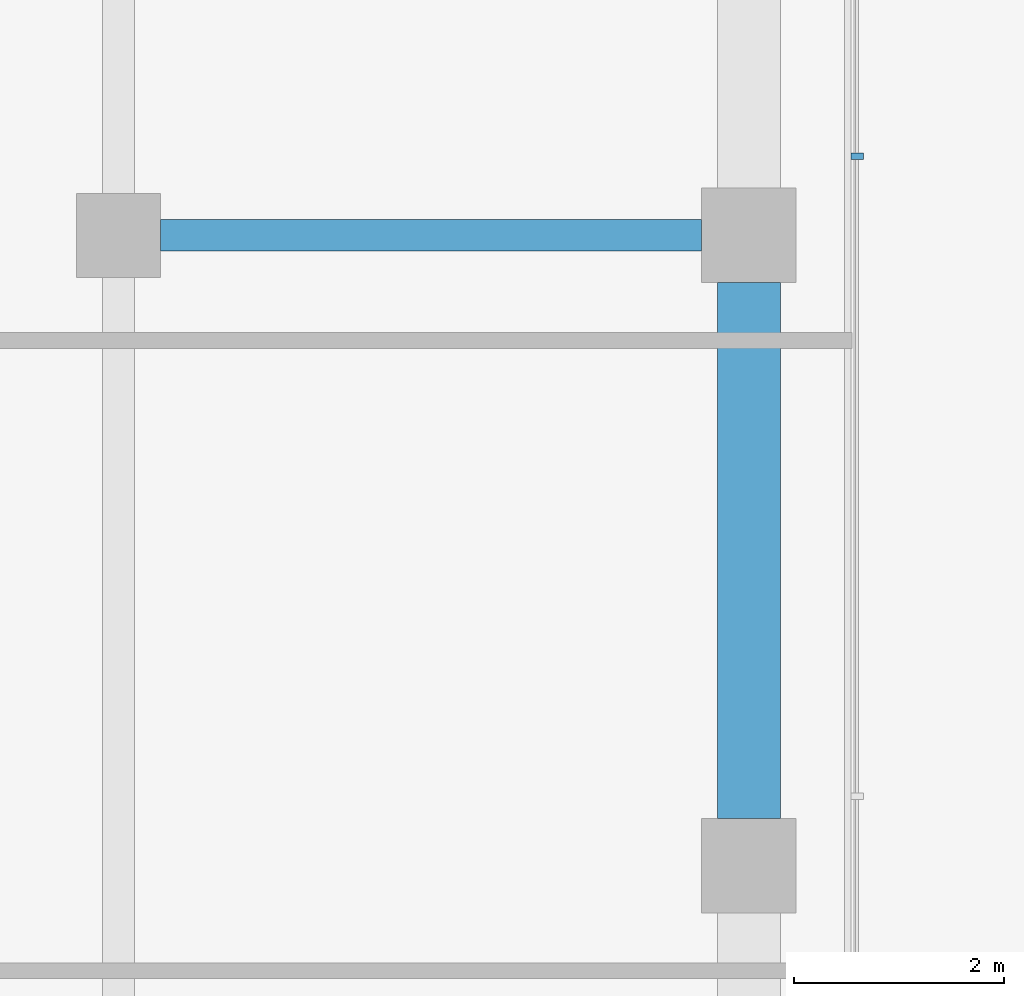
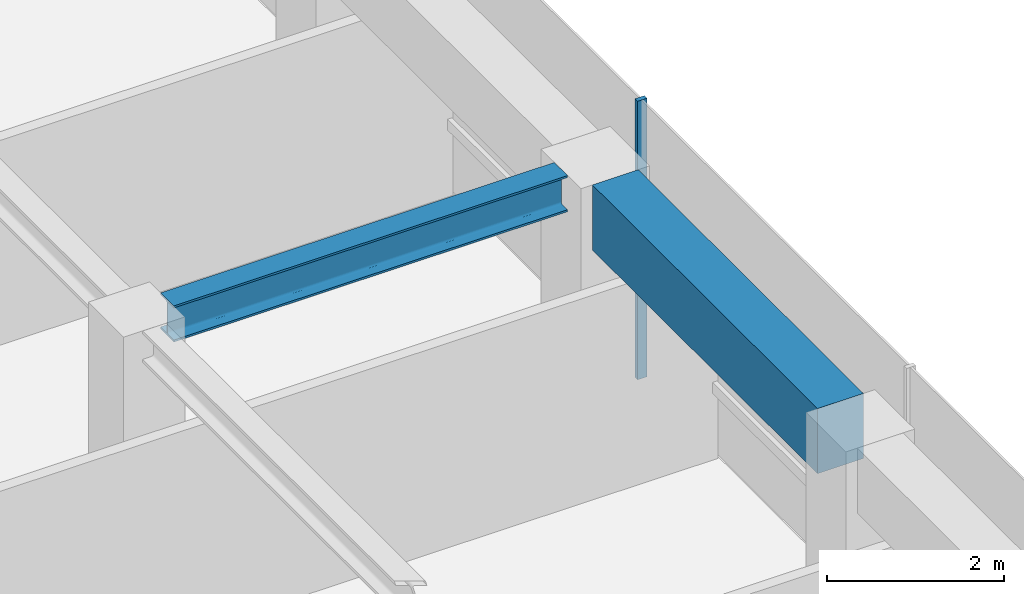
# One storey, part 15 of 24: 2 beams, 1 member, 1 element without a shape of its own.
"""IFC4 building model written with IfcOpenShell, lengths in metres."""

import ifcopenshell
import ifcopenshell.guid

model = None  # the IFC model being written
_history = None  # IfcOwnerHistory: only IFC2X3 demands one
_inside = {}  # id of a spatial element -> (the spatial element, [elements in it])
_under = {}  # id of a project, library or spatial element -> (it, [spatial elements below it])
_declared = {}  # id of a project -> (the project, [libraries it declares])
_typed = {}  # id of a type object -> (the type object, [elements of that type])
_made_of = {}  # id of a material, layer set ... -> (it, [elements and type objects made of it])


def new_model(schema):
    """Start an empty IFC model of exactly this schema.

    Asked for "IFC4X3", IfcOpenShell would pick the latest addendum, in which some entities
    have other attributes; the version numbers below select the first issue.
    IFC2X3 requires an IfcOwnerHistory on every rooted entity: one is made here for all.
    """
    global model, _history
    if schema == "IFC4X3":
        model = ifcopenshell.file(schema_version=(4, 3, 0, 0))
    else:
        model = ifcopenshell.file(schema=schema)
    _inside.clear()
    _under.clear()
    _declared.clear()
    _typed.clear()
    _made_of.clear()
    _history = None
    if model.schema == "IFC2X3":
        org = make("IfcOrganization", Name="unknown")
        user = make(
            "IfcPersonAndOrganization",
            ThePerson=make("IfcPerson", FamilyName="unknown"),
            TheOrganization=org,
        )
        app = make(
            "IfcApplication",
            ApplicationDeveloper=org,
            Version="unknown",
            ApplicationFullName="unknown",
            ApplicationIdentifier="unknown",
        )
        _history = make(
            "IfcOwnerHistory",
            OwningUser=user,
            OwningApplication=app,
            ChangeAction="ADDED",
            CreationDate=0,
        )
    return model


def make(cls, **values):
    """One entity of the class cls with the attributes given. An attribute that is None is left unset."""
    return model.create_entity(
        cls, **{name: value for name, value in values.items() if value is not None}
    )


def rooted(cls, **values):
    """An entity with a GlobalId (a new one), such as an element, a storey or a relation."""
    return make(cls, GlobalId=ifcopenshell.guid.new(), OwnerHistory=_history, **values)


def si_unit(unit_type, name, prefix=None):
    """IfcSIUnit, for example si_unit("LENGTHUNIT", "METRE", prefix="MILLI")."""
    return make("IfcSIUnit", UnitType=unit_type, Prefix=prefix, Name=name)


def assignment(units):
    """IfcUnitAssignment: the units of a project."""
    return None if units is None else make("IfcUnitAssignment", Units=units)


def point(xyz):
    """IfcCartesianPoint."""
    return None if xyz is None else make("IfcCartesianPoint", Coordinates=xyz)


def direction(xyz):
    """IfcDirection."""
    return None if xyz is None else make("IfcDirection", DirectionRatios=xyz)


def frame(location, z_axis=None, x_axis=None):
    """IfcAxis2Placement3D, a coordinate frame: its origin and axes. An axis left out is left unset."""
    return make(
        "IfcAxis2Placement3D",
        Location=point(location),
        Axis=direction(z_axis),
        RefDirection=direction(x_axis),
    )


def frame_2d(location, x_axis=None):
    """IfcAxis2Placement2D, a coordinate frame in the plane: its origin and x axis."""
    return make(
        "IfcAxis2Placement2D", Location=point(location), RefDirection=direction(x_axis)
    )


def origin():
    """The frame at (0, 0, 0) with its axes left unset."""
    return frame((0.0, 0.0, 0.0))


def origin_2d():
    """The frame at (0, 0) in the plane with its x axis left unset."""
    return frame_2d((0.0, 0.0))


def place(relative_to, where):
    """IfcLocalPlacement: puts the frame where relative to a parent placement (None: the world)."""
    return make(
        "IfcLocalPlacement", PlacementRelTo=relative_to, RelativePlacement=where
    )


def context(
    kind, dimensions, precision=None, world=None, true_north=None, identifier=None
):
    """IfcGeometricRepresentationContext, for example the 3D "Model" context."""
    return make(
        "IfcGeometricRepresentationContext",
        ContextIdentifier=identifier,
        ContextType=kind,
        CoordinateSpaceDimension=dimensions,
        Precision=precision,
        WorldCoordinateSystem=world,
        TrueNorth=true_north,
    )


def subcontext(parent, identifier, kind, view, scale=None):
    """IfcGeometricRepresentationSubContext, for example "Body" below "Model"."""
    return make(
        "IfcGeometricRepresentationSubContext",
        ContextIdentifier=identifier,
        ContextType=kind,
        ParentContext=parent,
        TargetScale=scale,
        TargetView=view,
    )


def project(units=None, contexts=None):
    """IfcProject with its units and contexts."""
    return rooted(
        "IfcProject",
        Name="project",
        RepresentationContexts=contexts,
        UnitsInContext=assignment(units),
    )


def spatial(cls, under=None, at=None, **own):
    """A site, building, storey or space (cls), placed at a placement, below another one or the project."""
    s = rooted(cls, ObjectPlacement=at, **own)
    if under is not None:
        _under.setdefault(under.id(), (under, []))[1].append(s)
    return s


def profile(cls, at=None, kind="AREA", **sizes):
    """A parametric profile (cls). Its sizes go by their IFC names, for example OverallWidth=200.0."""
    return make(cls, ProfileType=kind, Position=at, **sizes)


def rectangle(**sizes):
    """IfcRectangleProfileDef."""
    return profile("IfcRectangleProfileDef", **sizes)


def i_section(**sizes):
    """IfcIShapeProfileDef."""
    return profile("IfcIShapeProfileDef", **sizes)


def extrude(swept, where, along, depth):
    """IfcExtrudedAreaSolid: the profile swept, set in the frame where, extruded along a direction by depth."""
    return make(
        "IfcExtrudedAreaSolid",
        SweptArea=swept,
        Position=where,
        ExtrudedDirection=direction(along),
        Depth=depth,
    )


def shape(context_of_items, identifier, shape_type, items):
    """IfcShapeRepresentation: the items that make up one representation, for example the "Body"."""
    return make(
        "IfcShapeRepresentation",
        ContextOfItems=context_of_items,
        RepresentationIdentifier=identifier,
        RepresentationType=shape_type,
        Items=items,
    )


def material(Name=None, Category=None):
    """IfcMaterial."""
    return make("IfcMaterial", Name=Name, Category=Category)


def layer(
    of_material, thickness, ventilated=None, Name=None, Category=None, Priority=None
):
    """IfcMaterialLayer: one layer of a wall or slab, of a material (None: an air gap)."""
    return make(
        "IfcMaterialLayer",
        Material=of_material,
        LayerThickness=thickness,
        IsVentilated=ventilated,
        Name=Name,
        Category=Category,
        Priority=Priority,
    )


def layer_set(layers, Name=None):
    """IfcMaterialLayerSet."""
    return make("IfcMaterialLayerSet", MaterialLayers=layers, LayerSetName=Name)


def material_profile(
    of_material, cross_section, Name=None, Category=None, Priority=None
):
    """IfcMaterialProfile: a cross section and its material."""
    return make(
        "IfcMaterialProfile",
        Name=Name,
        Material=of_material,
        Profile=cross_section,
        Priority=Priority,
        Category=Category,
    )


def profile_set(profiles, Name=None, composite=None):
    """IfcMaterialProfileSet."""
    return make(
        "IfcMaterialProfileSet",
        Name=Name,
        MaterialProfiles=profiles,
        CompositeProfile=composite,
    )


def made_of(thing, what):
    """Note that an element or type object is made of a material, layer set ...; save() writes the relation."""
    if what is not None:
        _made_of.setdefault(what.id(), (what, []))[1].append(thing)
    return thing


def type_object(cls, material=None, **own):
    """A type object (cls), such as IfcWallType, which elements share."""
    return made_of(rooted(cls, **own), material)


def element(
    cls,
    number,
    at=None,
    inside=None,
    cuts=None,
    type_object=None,
    material=None,
    context=None,
    identifier="Body",
    shape_type=None,
    held_by="IfcProductDefinitionShape",
    body=None,
    shapes=None,
    **own,
):
    """One element of the class cls, such as IfcWall. Its Tag is "e" and its number.

    at: its placement. inside: the storey or other place that contains it. cuts: it is an
    opening in that element (IfcRelVoidsElement). A single representation is given by context,
    identifier, shape_type and body (its items); several are given by shapes. held_by: the class
    of the entity that holds the representations. save() writes the other relations.
    """
    e = rooted(cls, Tag="e%d" % number, ObjectPlacement=at, **own)
    if body is not None:
        shapes = [shape(context, identifier, shape_type, body)]
    if shapes is not None:
        e.Representation = make(held_by, Representations=shapes)
    if inside is not None:
        _inside.setdefault(inside.id(), (inside, []))[1].append(e)
    if cuts is not None:
        rooted(
            "IfcRelVoidsElement", RelatingBuildingElement=cuts, RelatedOpeningElement=e
        )
    if type_object is not None:
        _typed.setdefault(type_object.id(), (type_object, []))[1].append(e)
    return made_of(e, material)


def aggregate(whole, parts):
    """IfcRelAggregates: a whole, such as a stair, and the parts it consists of."""
    return rooted("IfcRelAggregates", RelatingObject=whole, RelatedObjects=parts)


def save(model, path):
    """Write the relations noted so far, then the file.

    IfcRelAggregates (storeys below a building ...), IfcRelContainedInSpatialStructure (elements
    in a storey), IfcRelDefinesByType, IfcRelAssociatesMaterial and IfcRelDeclares: one each for
    every whole, place, type object, material and project.
    """
    for whole, parts in _under.values():
        aggregate(whole, parts)
    for where, things in _inside.values():
        rooted(
            "IfcRelContainedInSpatialStructure",
            RelatedElements=things,
            RelatingStructure=where,
        )
    for kind, things in _typed.values():
        rooted("IfcRelDefinesByType", RelatedObjects=things, RelatingType=kind)
    for what, things in _made_of.values():
        rooted("IfcRelAssociatesMaterial", RelatedObjects=things, RelatingMaterial=what)
    for by, libraries in _declared.values():
        rooted("IfcRelDeclares", RelatingContext=by, RelatedDefinitions=libraries)
    model.write(path)


model = new_model("IFC4")

# Units and contexts
model_context = context("Model", 3, precision=1e-05, world=origin(), true_north=direction((0.0, 1.0)))
body_context = subcontext(model_context, "Body", "Model", "MODEL_VIEW")
ifc_project = project(units=[si_unit("LENGTHUNIT", "METRE"), si_unit("AREAUNIT", "SQUARE_METRE"), si_unit("VOLUMEUNIT", "CUBIC_METRE"), si_unit("PLANEANGLEUNIT", "RADIAN"), si_unit("MASSUNIT", "GRAM", prefix="KILO")], contexts=[model_context])

# Site, building, storey
site_placement = place(None, origin())
site = spatial("IfcSite", under=ifc_project, at=site_placement, CompositionType="ELEMENT")
building_placement = place(site_placement, origin())
building = spatial("IfcBuilding", under=site, at=building_placement, Name="Welwitschia Terrace Campus", CompositionType="ELEMENT")
storey_placement = place(building_placement, frame((0.0, 0.0, 100.39990234375)))
storey = spatial("IfcBuildingStorey", under=building, at=storey_placement, Name="L22", CompositionType="ELEMENT", Elevation=100.39990234375)

# Curtain wall, member
ifc_material_1 = material(Name="Bronze anodised aluminium", Category="aluminium")
ifc_layer = layer(ifc_material_1, 0.1201171875)
ifc_layer_set = layer_set([ifc_layer], Name="Bronze anodised aluminium")
curtain_wall_type = type_object("IfcCurtainWallType", Name="Curtain wall CW2 tower 6000", PredefinedType="NOTDEFINED", material=ifc_layer_set)
curtain_wall_placement = place(storey_placement, origin())
curtain_wall = element("IfcCurtainWall", 1, at=curtain_wall_placement, inside=storey, type_object=curtain_wall_type, Name="CW L22.9.0", PredefinedType="NOTDEFINED")
ifc_material_2 = material(Name="Bronze anodised aluminium", Category="aluminium")
ifc_material_profile_1 = material_profile(ifc_material_2, rectangle(XDim=0.1201171875, YDim=0.06005859375, at=origin_2d()))
ifc_profile_set_1 = profile_set([ifc_material_profile_1], Name="Bronze anodised aluminium")
member_type = type_object("IfcMemberType", Name="Mullion 60x120", PredefinedType="MULLION", material=ifc_profile_set_1)
member_placement = place(storey_placement, frame((25.030029296875, 52.753173828125, 0.0), z_axis=(0.0, 0.0, 1.0), x_axis=(-1.0, 0.0, 0.0)))
member = element("IfcMember", 2, at=member_placement, type_object=member_type, Name="Mullion L22.9.0.3", PredefinedType="MULLION", context=body_context, shape_type="SweptSolid", body=[
    extrude(rectangle(XDim=0.1201171875, YDim=0.06005859375, at=origin_2d()), origin(), (0.0, 0.0, 1.0), 3.85009765625),
])
aggregate(curtain_wall, [member])

# Beams
ifc_material_3 = material(Name="Steel S355", Category="steel")
ifc_material_profile_2 = material_profile(ifc_material_3, i_section(OverallWidth=0.300048828125, OverallDepth=0.5, WebThickness=0.014404296875, FlangeThickness=0.028076171875, FilletRadius=0.027099609375, at=origin_2d()))
ifc_profile_set_2 = profile_set([ifc_material_profile_2], Name="Steel S355")
beam_type_1 = type_object("IfcBeamType", Name="Primary beam HE 500 B", PredefinedType="BEAM", material=ifc_profile_set_2)
beam_1_placement = place(storey_placement, frame((23.549560546875, 52.0, 3.60009765625), z_axis=(-1.0, 0.0, 0.0), x_axis=(0.0, -1.0, 0.0)))
element("IfcBeam", 3, at=beam_1_placement, inside=storey, type_object=beam_type_1, Name="Primary beam PB3", PredefinedType="BEAM", context=body_context, shape_type="SweptSolid", body=[
    extrude(i_section(OverallWidth=0.300048828125, OverallDepth=0.5, WebThickness=0.014404296875, FlangeThickness=0.028076171875, FilletRadius=0.027099609375, at=origin_2d()), origin(), (0.0, 0.0, 1.0), 5.149169921875),
])
ifc_material_4 = material(Name="Concrete C60/75", Category="concrete")
ifc_material_profile_3 = material_profile(ifc_material_4, rectangle(XDim=0.60009765625, YDim=0.89990234375, at=origin_2d()))
ifc_profile_set_3 = profile_set([ifc_material_profile_3], Name="Concrete C60/75")
beam_type_2 = type_object("IfcBeamType", Name="Ring spandrel 600x900", PredefinedType="SPANDREL", material=ifc_profile_set_3)
beam_2_placement = place(storey_placement, frame((24.0, 46.450439453125, 3.400146484375), z_axis=(0.0, 1.0, 0.0), x_axis=(-1.0, 0.0, 0.0)))
element("IfcBeam", 4, at=beam_2_placement, inside=storey, type_object=beam_type_2, Name="Spandrel SP2", PredefinedType="SPANDREL", context=body_context, shape_type="SweptSolid", body=[
    extrude(rectangle(XDim=0.60009765625, YDim=0.89990234375, at=origin_2d()), origin(), (0.0, 0.0, 1.0), 5.09912109375),
])

save(model, "model.ifc")
